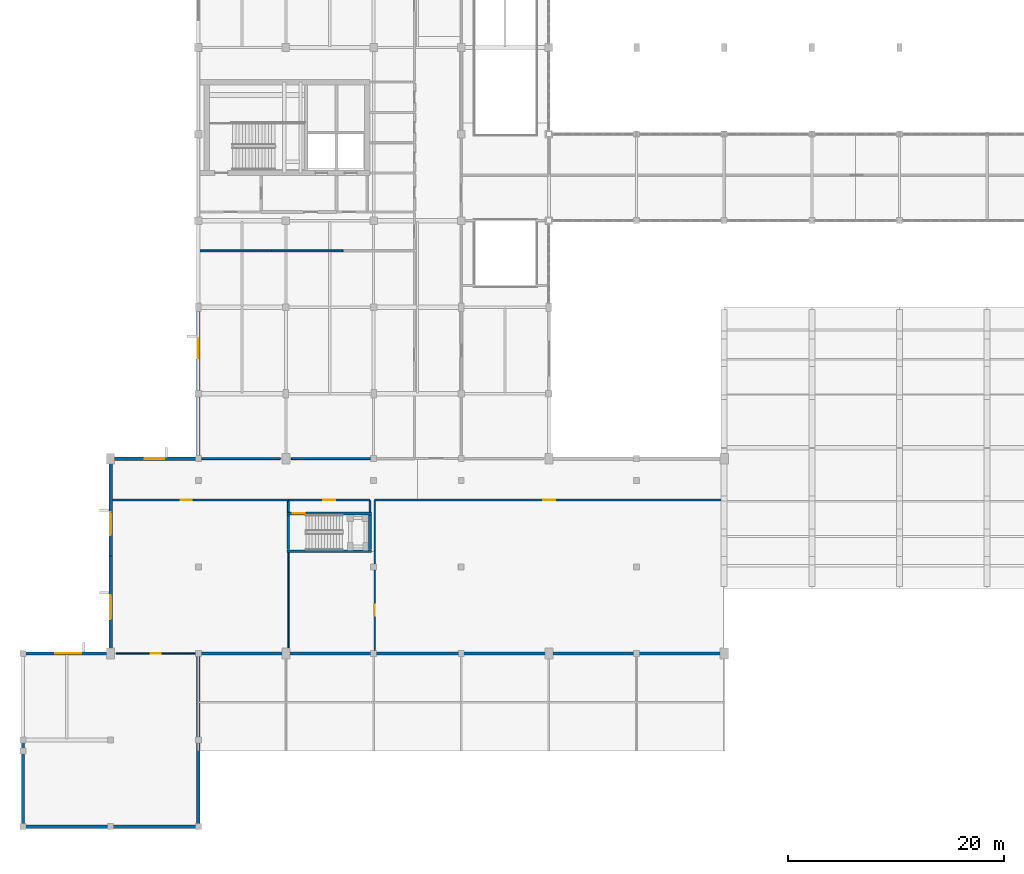
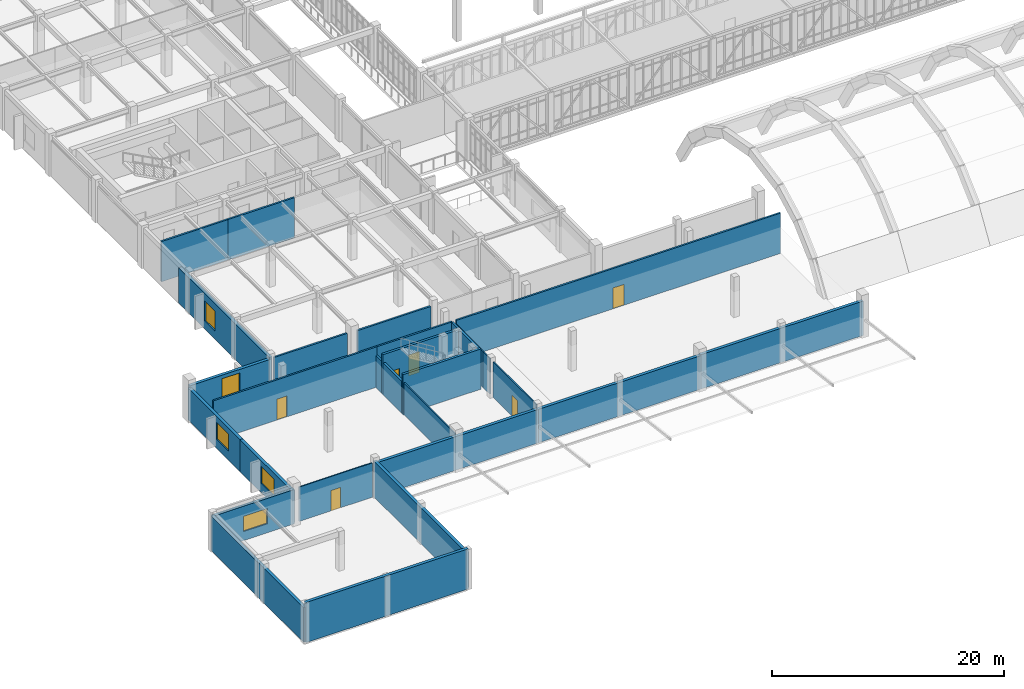
# One storey, part 47 of 67: 29 walls, 6 doors, 5 windows, 11 openings.
"""IFC4 building model written with IfcOpenShell, lengths in metres."""

from ifc_helpers import new_model, si_unit, direction, frame, frame_2d, origin, origin_with_axes, place, context, subcontext, project, spatial, rectangle, extrude, material, layer, layer_set, type_object, element, fill, save


model = new_model("IFC4")

# Units and contexts
model_context = context("Model", 3, precision=1e-05, world=origin(), true_north=direction((0.0, 1.0)))
body_context = subcontext(model_context, "Body", "Model", "MODEL_VIEW")
ifc_project = project(units=[si_unit("LENGTHUNIT", "METRE"), si_unit("AREAUNIT", "SQUARE_METRE"), si_unit("VOLUMEUNIT", "CUBIC_METRE"), si_unit("PLANEANGLEUNIT", "RADIAN"), si_unit("MASSUNIT", "GRAM", prefix="KILO")], contexts=[model_context])

# Site, building, storey
site_placement = place(None, origin())
site = spatial("IfcSite", under=ifc_project, at=site_placement, CompositionType="ELEMENT")
building_placement = place(site_placement, origin())
building = spatial("IfcBuilding", under=site, at=building_placement, Name="Tarnveldt Square Police Headquarters", CompositionType="ELEMENT")
storey_placement = place(building_placement, frame((0.0, 0.0, 10.199951171875)))
storey = spatial("IfcBuildingStorey", under=building, at=storey_placement, Name="L02", CompositionType="ELEMENT", Elevation=10.199951171875)

# Wall, opening, window
ifc_material_1 = material(Name="Concrete 40 MPa", Category="concrete")
ifc_layer_1 = layer(ifc_material_1, 0.320068359375)
ifc_layer_set_1 = layer_set([ifc_layer_1], Name="Concrete 40 MPa")
wall_type_1 = type_object("IfcWallType", Name="WL-EXT-BH320", PredefinedType="SOLIDWALL", material=ifc_layer_set_1)
wall_1_placement = place(storey_placement, frame((16.199951171875, 49.60009765625, 0.0), z_axis=(0.0, 0.0, 1.0), x_axis=(0.0, -1.0, 0.0)))
wall_1 = element("IfcWall", 1, at=wall_1_placement, inside=storey, type_object=wall_type_1, Name="L02 Brutalist Exterior Wall 0141", PredefinedType="SOLIDWALL", context=body_context, shape_type="SweptSolid", body=[
    extrude(rectangle(XDim=15.60009765625, YDim=0.320068359375, at=frame_2d((7.800048828125, 0.0))), origin(), (0.0, 0.0, 1.0), 3.73193359375),
])
opening_1_placement = place(wall_1_placement, frame((4.5, 0.0, 0.85009765625)))
opening_1 = element("IfcOpeningElement", 2, at=opening_1_placement, cuts=wall_1, Name="Opening W10", PredefinedType="OPENING", context=body_context, shape_type="SweptSolid", body=[
    extrude(rectangle(XDim=1.800048828125, YDim=2.10009765625, at=frame_2d((0.89990234375, 1.050048828125))), frame((0.0, 0.169921875, 0.0), z_axis=(0.0, -1.0, 0.0), x_axis=(1.0, 0.0, 0.0)), (0.0, 0.0, 1.0), 0.340087890625),
])
ifc_material_2 = material(Name="Triple-glazed low-e laminated vision glass", Category="glass")
window_type_1 = type_object("IfcWindowType", Name="WIN-DR-180x210", PartitioningType="DOUBLE_PANEL_VERTICAL", PredefinedType="WINDOW", material=ifc_material_2)
window_1_placement = place(opening_1_placement, origin())
window_1 = element("IfcWindow", 3, at=window_1_placement, inside=storey, type_object=window_type_1, Name="L02 Deep-Reveal Brutalist Window 0058", OverallHeight=2.10009765625, OverallWidth=1.800048828125, PartitioningType="DOUBLE_PANEL_VERTICAL", PredefinedType="WINDOW", context=body_context, shape_type="SweptSolid", body=[
    extrude(rectangle(XDim=1.800048828125, YDim=2.10009765625, at=frame_2d((0.89990234375, 1.050048828125))), frame((0.0, 0.030029296875, 0.0), z_axis=(0.0, -1.0, 0.0), x_axis=(1.0, 0.0, 0.0)), (0.0, 0.0, 1.0), 0.06005859375),
])
fill(opening_1, window_1)

# Walls
ifc_material_3 = material(Name="Manganese ironspot clay brick masonry 20 MPa", Category="masonry")
ifc_layer_2 = layer(ifc_material_3, 0.300048828125)
ifc_layer_set_2 = layer_set([ifc_layer_2], Name="Manganese ironspot clay brick masonry 20 MPa")
wall_type_2 = type_object("IfcWallType", Name="WL-EXT-BRK300", PredefinedType="SOLIDWALL", material=ifc_layer_set_2)
wall_2_placement = place(storey_placement, frame((0.0, 16.0, 0.0), z_axis=(0.0, 0.0, 1.0), x_axis=(0.0, -1.0, 0.0)))
element("IfcWall", 4, at=wall_2_placement, inside=storey, type_object=wall_type_2, Name="L02 Brutalist Exterior Wall 0113", PredefinedType="SOLIDWALL", context=body_context, shape_type="SweptSolid", body=[
    extrude(rectangle(XDim=16.0, YDim=0.300048828125, at=frame_2d((8.0, 0.0))), origin(), (0.0, 0.0, 1.0), 3.652099609375),
])
wall_3_placement = place(storey_placement, origin_with_axes())
element("IfcWall", 5, at=wall_3_placement, inside=storey, type_object=wall_type_2, Name="L02 Brutalist Exterior Wall 0114", PredefinedType="SOLIDWALL", context=body_context, shape_type="SweptSolid", body=[
    extrude(rectangle(XDim=16.199951171875, YDim=0.300048828125, at=frame_2d((8.10009765625, 0.0))), origin(), (0.0, 0.0, 1.0), 4.239990234375),
])
wall_4_placement = place(storey_placement, frame((16.199951171875, 0.0, 0.0), z_axis=(0.0, 0.0, 1.0), x_axis=(0.0, 1.0, 0.0)))
element("IfcWall", 6, at=wall_4_placement, inside=storey, type_object=wall_type_2, Name="L02 Brutalist Exterior Wall 0115", PredefinedType="SOLIDWALL", context=body_context, shape_type="SweptSolid", body=[
    extrude(rectangle(XDim=16.0, YDim=0.300048828125, at=frame_2d((8.0, 0.0))), origin(), (0.0, 0.0, 1.0), 3.76904296875),
])
wall_5_placement = place(storey_placement, frame((16.199951171875, 16.0, 0.0), z_axis=(0.0, 0.0, 1.0), x_axis=(1.0, 0.0, 0.0)))
element("IfcWall", 7, at=wall_5_placement, inside=storey, type_object=wall_type_2, Name="L02 Brutalist Exterior Wall 0116", PredefinedType="SOLIDWALL", context=body_context, shape_type="SweptSolid", body=[
    extrude(rectangle(XDim=16.199951171875, YDim=0.300048828125, at=frame_2d((8.10009765625, 0.0))), origin(), (0.0, 0.0, 1.0), 3.5439453125),
])
wall_6_placement = place(storey_placement, frame((32.39990234375, 16.0, 0.0), z_axis=(0.0, 0.0, 1.0), x_axis=(1.0, 0.0, 0.0)))
element("IfcWall", 8, at=wall_6_placement, inside=storey, type_object=wall_type_2, Name="L02 Brutalist Exterior Wall 0117", PredefinedType="SOLIDWALL", context=body_context, shape_type="SweptSolid", body=[
    extrude(rectangle(XDim=16.2001953125, YDim=0.300048828125, at=frame_2d((8.10009765625, 0.0))), origin(), (0.0, 0.0, 1.0), 3.5439453125),
])
wall_7_placement = place(storey_placement, frame((48.60009765625, 16.0, 0.0), z_axis=(0.0, 0.0, 1.0), x_axis=(1.0, 0.0, 0.0)))
element("IfcWall", 9, at=wall_7_placement, inside=storey, type_object=wall_type_2, Name="L02 Brutalist Exterior Wall 0118", PredefinedType="SOLIDWALL", context=body_context, shape_type="SweptSolid", body=[
    extrude(rectangle(XDim=16.199951171875, YDim=0.300048828125, at=frame_2d((8.10009765625, 0.0))), origin(), (0.0, 0.0, 1.0), 3.6201171875),
])

# Wall, opening, window
wall_8_placement = place(storey_placement, frame((16.199951171875, 34.0, 0.0), z_axis=(0.0, 0.0, 1.0), x_axis=(-1.0, 0.0, 0.0)))
wall_8 = element("IfcWall", 10, at=wall_8_placement, inside=storey, type_object=wall_type_2, Name="L02 Brutalist Exterior Wall 0142", PredefinedType="SOLIDWALL", context=body_context, shape_type="SweptSolid", body=[
    extrude(rectangle(XDim=8.099853515625, YDim=0.300048828125, at=frame_2d((4.0498046875, 0.0))), origin(), (0.0, 0.0, 1.0), 3.6201171875),
])
opening_2_placement = place(wall_8_placement, frame((3.14990234375, 0.0, 0.85009765625)))
opening_2 = element("IfcOpeningElement", 11, at=opening_2_placement, cuts=wall_8, Name="Opening W11", PredefinedType="OPENING", context=body_context, shape_type="SweptSolid", body=[
    extrude(rectangle(XDim=1.800048828125, YDim=2.39990234375, at=frame_2d((0.89990234375, 1.199951171875))), frame((0.0, 0.159912109375, 0.0), z_axis=(0.0, -1.0, 0.0), x_axis=(1.0, 0.0, 0.0)), (0.0, 0.0, 1.0), 0.320068359375),
])
window_type_2 = type_object("IfcWindowType", Name="WIN-DR-180x240", PartitioningType="TRIPLE_PANEL_VERTICAL", PredefinedType="WINDOW", material=ifc_material_2)
window_2_placement = place(opening_2_placement, origin())
window_2 = element("IfcWindow", 12, at=window_2_placement, inside=storey, type_object=window_type_2, Name="L02 Deep-Reveal Brutalist Window 0059", OverallHeight=2.39990234375, OverallWidth=1.800048828125, PartitioningType="TRIPLE_PANEL_VERTICAL", PredefinedType="WINDOW", context=body_context, shape_type="SweptSolid", body=[
    extrude(rectangle(XDim=1.800048828125, YDim=2.39990234375, at=frame_2d((0.89990234375, 1.199951171875))), frame((0.0, 0.030029296875, 0.0), z_axis=(0.0, -1.0, 0.0), x_axis=(1.0, 0.0, 0.0)), (0.0, 0.0, 1.0), 0.06005859375),
])
fill(opening_2, window_2)

wall_9_placement = place(storey_placement, frame((8.10009765625, 34.0, 0.0), z_axis=(0.0, 0.0, 1.0), x_axis=(0.0, -1.0, 0.0)))
wall_9 = element("IfcWall", 13, at=wall_9_placement, inside=storey, type_object=wall_type_2, Name="L02 Brutalist Exterior Wall 0143", PredefinedType="SOLIDWALL", context=body_context, shape_type="SweptSolid", body=[
    extrude(rectangle(XDim=9.0, YDim=0.300048828125, at=frame_2d((4.5, 0.0))), origin(), (0.0, 0.0, 1.0), 3.365966796875),
])
opening_3_placement = place(wall_9_placement, frame((4.949951171875, 0.0, 0.949951171875)))
opening_3 = element("IfcOpeningElement", 14, at=opening_3_placement, cuts=wall_9, Name="Opening W12", PredefinedType="OPENING", context=body_context, shape_type="SweptSolid", body=[
    extrude(rectangle(XDim=2.10009765625, YDim=1.800048828125, at=frame_2d((1.050048828125, 0.89990234375))), frame((0.0, 0.159912109375, 0.0), z_axis=(0.0, -1.0, 0.0), x_axis=(1.0, 0.0, 0.0)), (0.0, 0.0, 1.0), 0.320068359375),
])
window_type_3 = type_object("IfcWindowType", Name="WIN-DR-210x180", PartitioningType="DOUBLE_PANEL_VERTICAL", PredefinedType="WINDOW", material=ifc_material_2)
window_3_placement = place(opening_3_placement, origin())
window_3 = element("IfcWindow", 15, at=window_3_placement, inside=storey, type_object=window_type_3, Name="L02 Deep-Reveal Brutalist Window 0060", OverallHeight=1.800048828125, OverallWidth=2.10009765625, PartitioningType="DOUBLE_PANEL_VERTICAL", PredefinedType="WINDOW", context=body_context, shape_type="SweptSolid", body=[
    extrude(rectangle(XDim=2.10009765625, YDim=1.800048828125, at=frame_2d((1.050048828125, 0.89990234375))), frame((0.0, 0.030029296875, 0.0), z_axis=(0.0, -1.0, 0.0), x_axis=(1.0, 0.0, 0.0)), (0.0, 0.0, 1.0), 0.06005859375),
])
fill(opening_3, window_3)

wall_10_placement = place(storey_placement, frame((8.10009765625, 25.0, 0.0), z_axis=(0.0, 0.0, 1.0), x_axis=(0.0, -1.0, 0.0)))
wall_10 = element("IfcWall", 16, at=wall_10_placement, inside=storey, type_object=wall_type_2, Name="L02 Brutalist Exterior Wall 0144", PredefinedType="SOLIDWALL", context=body_context, shape_type="SweptSolid", body=[
    extrude(rectangle(XDim=9.0, YDim=0.300048828125, at=frame_2d((4.5, 0.0))), origin(), (0.0, 0.0, 1.0), 3.365966796875),
])
opening_4_placement = place(wall_10_placement, frame((3.60009765625, 0.0, 0.949951171875)))
opening_4 = element("IfcOpeningElement", 17, at=opening_4_placement, cuts=wall_10, Name="Opening W13", PredefinedType="OPENING", context=body_context, shape_type="SweptSolid", body=[
    extrude(rectangle(XDim=2.25, YDim=1.800048828125, at=frame_2d((1.125, 0.89990234375))), frame((0.0, 0.159912109375, 0.0), z_axis=(0.0, -1.0, 0.0), x_axis=(1.0, 0.0, 0.0)), (0.0, 0.0, 1.0), 0.320068359375),
])
window_type_4 = type_object("IfcWindowType", Name="WIN-DR-225x180", PartitioningType="TRIPLE_PANEL_VERTICAL", PredefinedType="WINDOW", material=ifc_material_2)
window_4_placement = place(opening_4_placement, origin())
window_4 = element("IfcWindow", 18, at=window_4_placement, inside=storey, type_object=window_type_4, Name="L02 Deep-Reveal Brutalist Window 0061", OverallHeight=1.800048828125, OverallWidth=2.25, PartitioningType="TRIPLE_PANEL_VERTICAL", PredefinedType="WINDOW", context=body_context, shape_type="SweptSolid", body=[
    extrude(rectangle(XDim=2.25, YDim=1.800048828125, at=frame_2d((1.125, 0.89990234375))), frame((0.0, 0.030029296875, 0.0), z_axis=(0.0, -1.0, 0.0), x_axis=(1.0, 0.0, 0.0)), (0.0, 0.0, 1.0), 0.06005859375),
])
fill(opening_4, window_4)

wall_11_placement = place(storey_placement, frame((8.10009765625, 16.0, 0.0), z_axis=(0.0, 0.0, 1.0), x_axis=(-1.0, 0.0, 0.0)))
wall_11 = element("IfcWall", 19, at=wall_11_placement, inside=storey, type_object=wall_type_2, Name="L02 Brutalist Exterior Wall 0145", PredefinedType="SOLIDWALL", context=body_context, shape_type="SweptSolid", body=[
    extrude(rectangle(XDim=8.10009765625, YDim=0.300048828125, at=frame_2d((4.050048828125, 0.0))), origin(), (0.0, 0.0, 1.0), 3.619140625),
])
opening_5_placement = place(wall_11_placement, frame((2.699951171875, 0.0, 0.949951171875)))
opening_5 = element("IfcOpeningElement", 20, at=opening_5_placement, cuts=wall_11, Name="Opening W14", PredefinedType="OPENING", context=body_context, shape_type="SweptSolid", body=[
    extrude(rectangle(XDim=2.39990234375, YDim=1.60009765625, at=frame_2d((1.199951171875, 0.800048828125))), frame((0.0, 0.159912109375, 0.0), z_axis=(0.0, -1.0, 0.0), x_axis=(1.0, 0.0, 0.0)), (0.0, 0.0, 1.0), 0.320068359375),
])
window_type_5 = type_object("IfcWindowType", Name="WIN-DR-240x160", PartitioningType="TRIPLE_PANEL_VERTICAL", PredefinedType="WINDOW", material=ifc_material_2)
window_5_placement = place(opening_5_placement, origin())
window_5 = element("IfcWindow", 21, at=window_5_placement, inside=storey, type_object=window_type_5, Name="L02 Deep-Reveal Brutalist Window 0062", OverallHeight=1.60009765625, OverallWidth=2.39990234375, PartitioningType="TRIPLE_PANEL_VERTICAL", PredefinedType="WINDOW", context=body_context, shape_type="SweptSolid", body=[
    extrude(rectangle(XDim=2.39990234375, YDim=1.60009765625, at=frame_2d((1.199951171875, 0.800048828125))), frame((0.0, 0.030029296875, 0.0), z_axis=(0.0, -1.0, 0.0), x_axis=(1.0, 0.0, 0.0)), (0.0, 0.0, 1.0), 0.06005859375),
])
fill(opening_5, window_5)

# Wall, opening, door
ifc_material_4 = material(Name="Fire-rated Type X gypsum board on steel studs", Category="steel")
ifc_layer_3 = layer(ifc_material_4, 0.179931640625)
ifc_layer_set_3 = layer_set([ifc_layer_3], Name="Fire-rated Type X gypsum board on steel studs")
wall_type_3 = type_object("IfcWallType", Name="WL-FIRE-180", PredefinedType="PARTITIONING", material=ifc_layer_set_3)
wall_12_placement = place(storey_placement, frame((8.258056640625, 30.199951171875, 0.0), z_axis=(0.0, 0.0, 1.0), x_axis=(1.0, 0.0, 0.0)))
wall_12 = element("IfcWall", 22, at=wall_12_placement, inside=storey, type_object=wall_type_3, Name="L02 Interior Partition Wall 0331", PredefinedType="PARTITIONING", context=body_context, shape_type="SweptSolid", body=[
    extrude(rectangle(XDim=16.27197265625, YDim=0.179931640625, at=frame_2d((8.135986328125, 0.0))), origin(), (0.0, 0.0, 1.0), 4.239990234375),
])
opening_6_placement = place(wall_12_placement, frame((6.334228515625, 0.0, 0.0)))
opening_6 = element("IfcOpeningElement", 23, at=opening_6_placement, cuts=wall_12, Name="Opening D05", PredefinedType="OPENING", context=body_context, shape_type="SweptSolid", body=[
    extrude(rectangle(XDim=1.0, YDim=2.199951171875, at=frame_2d((0.5, 1.10009765625))), frame((0.0, 0.099853515625, 0.0), z_axis=(0.0, -1.0, 0.0), x_axis=(1.0, 0.0, 0.0)), (0.0, 0.0, 1.0), 0.199951171875),
])
ifc_material_5 = material(Name="Solid core architectural birch door leaf", Category="wood")
door_type_1 = type_object("IfcDoorType", Name="DR-INT-1000", OperationType="NOTDEFINED", PredefinedType="DOOR", material=ifc_material_5)
door_1_placement = place(opening_6_placement, frame((1.0, 0.0, 0.0), z_axis=(0.0, 0.0, 1.0), x_axis=(-1.0, 0.0, 0.0)))
door_1 = element("IfcDoor", 24, at=door_1_placement, inside=storey, type_object=door_type_1, Name="Warrant Processing and Court Liaison Unit Door", OperationType="SINGLE_SWING_LEFT", OverallHeight=2.199951171875, OverallWidth=1.0, PredefinedType="DOOR", context=body_context, shape_type="SweptSolid", body=[
    extrude(rectangle(XDim=1.0, YDim=2.199951171875, at=frame_2d((0.5, 1.10009765625))), frame((0.0, 0.02490234375, 0.0), z_axis=(0.0, -1.0, 0.0), x_axis=(1.0, 0.0, 0.0)), (0.0, 0.0, 1.0), 0.050048828125),
])
fill(opening_6, door_1)

# Walls
wall_13_placement = place(storey_placement, frame((16.48291015625, 34.0, 0.0), z_axis=(0.0, 0.0, 1.0), x_axis=(1.0, 0.0, 0.0)))
element("IfcWall", 25, at=wall_13_placement, inside=storey, type_object=wall_type_3, Name="L02 Interior Partition Wall 0332", PredefinedType="PARTITIONING", context=body_context, shape_type="SweptSolid", body=[
    extrude(rectangle(XDim=7.30908203125, YDim=0.179931640625, at=frame_2d((3.654541015625, 0.0))), origin(), (0.0, 0.0, 1.0), 3.6201171875),
])
wall_14_placement = place(storey_placement, frame((24.80810546875, 34.0, 0.0), z_axis=(0.0, 0.0, 1.0), x_axis=(1.0, 0.0, 0.0)))
element("IfcWall", 26, at=wall_14_placement, inside=storey, type_object=wall_type_3, Name="L02 Interior Partition Wall 0333", PredefinedType="PARTITIONING", context=body_context, shape_type="SweptSolid", body=[
    extrude(rectangle(XDim=7.308837890625, YDim=0.179931640625, at=frame_2d((3.654296875, 0.0))), origin(), (0.0, 0.0, 1.0), 3.5439453125),
])
wall_15_placement = place(storey_placement, frame((16.367919921875, 53.199951171875, 0.0), z_axis=(0.0, 0.0, 1.0), x_axis=(1.0, 0.0, 0.0)))
element("IfcWall", 27, at=wall_15_placement, inside=storey, type_object=wall_type_3, Name="L02 Interior Partition Wall 0335", PredefinedType="PARTITIONING", context=body_context, shape_type="SweptSolid", body=[
    extrude(rectangle(XDim=6.61083984375, YDim=0.179931640625, at=frame_2d((3.305419921875, 0.0))), origin(), (0.0, 0.0, 1.0), 4.239990234375),
])
wall_16_placement = place(storey_placement, frame((22.978759765625, 53.199951171875, 0.0), z_axis=(0.0, 0.0, 1.0), x_axis=(1.0, 0.0, 0.0)))
element("IfcWall", 28, at=wall_16_placement, inside=storey, type_object=wall_type_3, Name="L02 Interior Partition Wall 0336", PredefinedType="PARTITIONING", context=body_context, shape_type="SweptSolid", body=[
    extrude(rectangle(XDim=6.610595703125, YDim=0.179931640625, at=frame_2d((3.30517578125, 0.0))), origin(), (0.0, 0.0, 1.0), 4.239990234375),
])

# Wall, opening, door
wall_17_placement = place(storey_placement, frame((24.530029296875, 30.199951171875, 0.0), z_axis=(0.0, 0.0, 1.0), x_axis=(1.0, 0.0, 0.0)))
wall_17 = element("IfcWall", 29, at=wall_17_placement, inside=storey, type_object=wall_type_3, Name="L02 Interior Partition Wall 0345", PredefinedType="PARTITIONING", context=body_context, shape_type="SweptSolid", body=[
    extrude(rectangle(XDim=7.5400390625, YDim=0.179931640625, at=frame_2d((3.77001953125, 0.0))), origin(), (0.0, 0.0, 1.0), 4.239990234375),
])
opening_7_placement = place(wall_17_placement, frame((3.219970703125, 0.0, 0.0)))
opening_7 = element("IfcOpeningElement", 30, at=opening_7_placement, cuts=wall_17, Name="Opening D15", PredefinedType="OPENING", context=body_context, shape_type="SweptSolid", body=[
    extrude(rectangle(XDim=1.10009765625, YDim=2.199951171875, at=frame_2d((0.550048828125, 1.10009765625))), frame((0.0, 0.099853515625, 0.0), z_axis=(0.0, -1.0, 0.0), x_axis=(1.0, 0.0, 0.0)), (0.0, 0.0, 1.0), 0.199951171875),
])
ifc_material_6 = material(Name="Insulated hollow metal steel door leaf", Category="steel")
door_type_2 = type_object("IfcDoorType", Name="DR-FD60-1100", OperationType="NOTDEFINED", PredefinedType="DOOR", material=ifc_material_6)
door_2_placement = place(opening_7_placement, origin())
door_2 = element("IfcDoor", 31, at=door_2_placement, inside=storey, type_object=door_type_2, Name="Exit Stair ST6 Vestibule L02 Door", OperationType="SINGLE_SWING_RIGHT", OverallHeight=2.199951171875, OverallWidth=1.10009765625, PredefinedType="DOOR", context=body_context, shape_type="SweptSolid", body=[
    extrude(rectangle(XDim=1.10009765625, YDim=2.199951171875, at=frame_2d((0.550048828125, 1.10009765625))), frame((0.0, 0.02490234375, 0.0), z_axis=(0.0, -1.0, 0.0), x_axis=(1.0, 0.0, 0.0)), (0.0, 0.0, 1.0), 0.050048828125),
])
fill(opening_7, door_2)

wall_18_placement = place(storey_placement, frame((32.5, 30.199951171875, 0.0), z_axis=(0.0, 0.0, 1.0), x_axis=(1.0, 0.0, 0.0)))
wall_18 = element("IfcWall", 32, at=wall_18_placement, inside=storey, type_object=wall_type_3, Name="L02 Interior Partition Wall 0354", PredefinedType="PARTITIONING", context=body_context, shape_type="SweptSolid", body=[
    extrude(rectangle(XDim=32.2900390625, YDim=0.179931640625, at=frame_2d((16.14501953125, 0.0))), origin(), (0.0, 0.0, 1.0), 4.239990234375),
])
opening_8_placement = place(wall_18_placement, frame((15.594970703125, 0.0, 0.0)))
opening_8 = element("IfcOpeningElement", 33, at=opening_8_placement, cuts=wall_18, Name="Opening D07", PredefinedType="OPENING", context=body_context, shape_type="SweptSolid", body=[
    extrude(rectangle(XDim=1.10009765625, YDim=2.199951171875, at=frame_2d((0.550048828125, 1.10009765625))), frame((0.0, 0.099853515625, 0.0), z_axis=(0.0, -1.0, 0.0), x_axis=(1.0, 0.0, 0.0)), (0.0, 0.0, 1.0), 0.199951171875),
])
door_type_3 = type_object("IfcDoorType", Name="DR-INT-1100", OperationType="NOTDEFINED", PredefinedType="DOOR", material=ifc_material_5)
door_3_placement = place(opening_8_placement, frame((1.10009765625, 0.0, 0.0), z_axis=(0.0, 0.0, 1.0), x_axis=(-1.0, 0.0, 0.0)))
door_3 = element("IfcDoor", 34, at=door_3_placement, inside=storey, type_object=door_type_3, Name="Central Police Records and FOI Bureau Door", OperationType="SINGLE_SWING_RIGHT", OverallHeight=2.199951171875, OverallWidth=1.10009765625, PredefinedType="DOOR", context=body_context, shape_type="SweptSolid", body=[
    extrude(rectangle(XDim=1.10009765625, YDim=2.199951171875, at=frame_2d((0.550048828125, 1.10009765625))), frame((0.0, 0.02490234375, 0.0), z_axis=(0.0, -1.0, 0.0), x_axis=(1.0, 0.0, 0.0)), (0.0, 0.0, 1.0), 0.050048828125),
])
fill(opening_8, door_3)

# Walls
wall_19_placement = place(storey_placement, frame((24.530029296875, 29.068115234375, 0.0), z_axis=(0.0, 0.0, 1.0), x_axis=(0.0, 1.0, 0.0)))
element("IfcWall", 35, at=wall_19_placement, inside=storey, type_object=wall_type_3, Name="L02 Interior Partition Wall 0380", PredefinedType="PARTITIONING", context=body_context, shape_type="SweptSolid", body=[
    extrude(rectangle(XDim=1.033935546875, YDim=0.179931640625, at=frame_2d((0.51708984375, 0.0))), origin(), (0.0, 0.0, 1.0), 3.365966796875),
])
wall_20_placement = place(storey_placement, frame((32.070068359375, 29.068115234375, 0.0), z_axis=(0.0, 0.0, 1.0), x_axis=(0.0, 1.0, 0.0)))
element("IfcWall", 36, at=wall_20_placement, inside=storey, type_object=wall_type_3, Name="L02 Interior Partition Wall 0385", PredefinedType="PARTITIONING", context=body_context, shape_type="SweptSolid", body=[
    extrude(rectangle(XDim=1.033935546875, YDim=0.179931640625, at=frame_2d((0.51708984375, 0.0))), origin(), (0.0, 0.0, 1.0), 4.239990234375),
])
ifc_material_7 = material(Name="Concrete block masonry 15 MPa", Category="masonry")
ifc_layer_4 = layer(ifc_material_7, 0.239990234375)
ifc_layer_set_4 = layer_set([ifc_layer_4], Name="Concrete block masonry 15 MPa")
wall_type_4 = type_object("IfcWallType", Name="WL-FIRE-240", PredefinedType="PARTITIONING", material=ifc_layer_set_4)
wall_21_placement = place(storey_placement, frame((24.409912109375, 25.4599609375, 0.0), z_axis=(0.0, 0.0, 1.0), x_axis=(1.0, 0.0, 0.0)))
element("IfcWall", 37, at=wall_21_placement, inside=storey, type_object=wall_type_4, Name="Exit Stair ST6 L02 S Enclosure Wall", PredefinedType="PARTITIONING", context=body_context, shape_type="SweptSolid", body=[
    extrude(rectangle(XDim=7.780029296875, YDim=0.239990234375, at=frame_2d((3.89013671875, 0.0))), origin(), (0.0, 0.0, 1.0), 4.239990234375),
])

# Wall, opening, door
wall_22_placement = place(storey_placement, frame((24.409912109375, 28.93994140625, 0.0), z_axis=(0.0, 0.0, 1.0), x_axis=(1.0, 0.0, 0.0)))
wall_22 = element("IfcWall", 38, at=wall_22_placement, inside=storey, type_object=wall_type_4, Name="Exit Stair ST6 L02 N Enclosure Wall", PredefinedType="PARTITIONING", context=body_context, shape_type="SweptSolid", body=[
    extrude(rectangle(XDim=7.780029296875, YDim=0.239990234375, at=frame_2d((3.89013671875, 0.0))), origin(), (0.0, 0.0, 1.0), 4.239990234375),
])
opening_9_placement = place(wall_22_placement, frame((0.5400390625, 0.0, 0.0)))
opening_9 = element("IfcOpeningElement", 39, at=opening_9_placement, cuts=wall_22, Name="Opening D-ST6-L02", PredefinedType="OPENING", context=body_context, shape_type="SweptSolid", body=[
    extrude(rectangle(XDim=1.10009765625, YDim=2.199951171875, at=frame_2d((0.550048828125, 1.10009765625))), frame((0.0, 0.1298828125, 0.0), z_axis=(0.0, -1.0, 0.0), x_axis=(1.0, 0.0, 0.0)), (0.0, 0.0, 1.0), 0.260009765625),
])
door_type_4 = type_object("IfcDoorType", Name="DR-FD90-1100", OperationType="NOTDEFINED", PredefinedType="DOOR", material=ifc_material_6)
door_4_placement = place(opening_9_placement, frame((1.10009765625, 0.0, 0.0), z_axis=(0.0, 0.0, 1.0), x_axis=(-1.0, 0.0, 0.0)))
door_4 = element("IfcDoor", 40, at=door_4_placement, inside=storey, type_object=door_type_4, Name="Exit Stair ST6 L02 Fire Door", OperationType="SINGLE_SWING_RIGHT", OverallHeight=2.199951171875, OverallWidth=1.10009765625, PredefinedType="DOOR", context=body_context, shape_type="SweptSolid", body=[
    extrude(rectangle(XDim=1.10009765625, YDim=2.199951171875, at=frame_2d((0.550048828125, 1.10009765625))), frame((0.0, 0.02490234375, 0.0), z_axis=(0.0, -1.0, 0.0), x_axis=(1.0, 0.0, 0.0)), (0.0, 0.0, 1.0), 0.050048828125),
])
fill(opening_9, door_4)

# Walls
wall_23_placement = place(storey_placement, frame((24.530029296875, 25.590087890625, 0.0), z_axis=(0.0, 0.0, 1.0), x_axis=(0.0, 1.0, 0.0)))
element("IfcWall", 41, at=wall_23_placement, inside=storey, type_object=wall_type_4, Name="Exit Stair ST6 L02 W Enclosure Wall", PredefinedType="PARTITIONING", context=body_context, shape_type="SweptSolid", body=[
    extrude(rectangle(XDim=3.219970703125, YDim=0.239990234375, at=frame_2d((1.60986328125, 0.0))), origin(), (0.0, 0.0, 1.0), 3.365966796875),
])
wall_24_placement = place(storey_placement, frame((32.070068359375, 25.590087890625, 0.0), z_axis=(0.0, 0.0, 1.0), x_axis=(0.0, 1.0, 0.0)))
element("IfcWall", 42, at=wall_24_placement, inside=storey, type_object=wall_type_4, Name="Exit Stair ST6 L02 E Enclosure Wall", PredefinedType="PARTITIONING", context=body_context, shape_type="SweptSolid", body=[
    extrude(rectangle(XDim=3.219970703125, YDim=0.239990234375, at=frame_2d((1.60986328125, 0.0))), origin(), (0.0, 0.0, 1.0), 4.239990234375),
])

# Wall, opening, door
ifc_layer_5 = layer(ifc_material_4, 0.110107421875)
ifc_layer_set_5 = layer_set([ifc_layer_5], Name="Fire-rated Type X gypsum board on steel studs")
wall_type_5 = type_object("IfcWallType", Name="WL-PART-110", PredefinedType="PARTITIONING", material=ifc_layer_set_5)
wall_25_placement = place(storey_placement, frame((8.60791015625, 16.0, 0.0), z_axis=(0.0, 0.0, 1.0), x_axis=(1.0, 0.0, 0.0)))
wall_25 = element("IfcWall", 43, at=wall_25_placement, inside=storey, type_object=wall_type_5, Name="L02 Interior Partition Wall 0330", PredefinedType="PARTITIONING", context=body_context, shape_type="SweptSolid", body=[
    extrude(rectangle(XDim=7.30908203125, YDim=0.110107421875, at=frame_2d((3.654541015625, 0.0))), origin(), (0.0, 0.0, 1.0), 3.6201171875),
])
opening_10_placement = place(wall_25_placement, frame((3.179443359375, 0.0, 0.0)))
opening_10 = element("IfcOpeningElement", 44, at=opening_10_placement, cuts=wall_25, Name="Opening D03", PredefinedType="OPENING", context=body_context, shape_type="SweptSolid", body=[
    extrude(rectangle(XDim=0.949951171875, YDim=2.14990234375, at=frame_2d((0.47509765625, 1.074951171875))), frame((0.0, 0.06494140625, 0.0), z_axis=(0.0, -1.0, 0.0), x_axis=(1.0, 0.0, 0.0)), (0.0, 0.0, 1.0), 0.130126953125),
])
door_type_5 = type_object("IfcDoorType", Name="DR-INT-950", OperationType="NOTDEFINED", PredefinedType="DOOR", material=ifc_material_5)
door_5_placement = place(opening_10_placement, frame((0.949951171875, 0.0, 0.0), z_axis=(0.0, 0.0, 1.0), x_axis=(-1.0, 0.0, 0.0)))
door_5 = element("IfcDoor", 45, at=door_5_placement, inside=storey, type_object=door_type_5, Name="Digital Case Dossier Transcription Room Door", OperationType="SINGLE_SWING_RIGHT", OverallHeight=2.14990234375, OverallWidth=0.949951171875, PredefinedType="DOOR", context=body_context, shape_type="SweptSolid", body=[
    extrude(rectangle(XDim=0.949951171875, YDim=2.14990234375, at=frame_2d((0.47509765625, 1.074951171875))), frame((0.0, 0.02490234375, 0.0), z_axis=(0.0, -1.0, 0.0), x_axis=(1.0, 0.0, 0.0)), (0.0, 0.0, 1.0), 0.050048828125),
])
fill(opening_10, door_5)

# Wall
ifc_layer_6 = layer(ifc_material_4, 0.1201171875)
ifc_layer_set_6 = layer_set([ifc_layer_6], Name="Fire-rated Type X gypsum board on steel studs")
wall_type_6 = type_object("IfcWallType", Name="WL-PART-120", PredefinedType="PARTITIONING", material=ifc_layer_set_6)
wall_26_placement = place(storey_placement, frame((24.530029296875, 16.508056640625, 0.0), z_axis=(0.0, 0.0, 1.0), x_axis=(0.0, 1.0, 0.0)))
element("IfcWall", 46, at=wall_26_placement, inside=storey, type_object=wall_type_6, Name="L02 Interior Partition Wall 0379", PredefinedType="PARTITIONING", context=body_context, shape_type="SweptSolid", body=[
    extrude(rectangle(XDim=8.823974609375, YDim=0.1201171875, at=frame_2d((4.412109375, 0.0))), origin(), (0.0, 0.0, 1.0), 3.365966796875),
])

# Wall, opening, door
wall_27_placement = place(storey_placement, frame((32.5, 16.282958984375, 0.0), z_axis=(0.0, 0.0, 1.0), x_axis=(0.0, 1.0, 0.0)))
wall_27 = element("IfcWall", 47, at=wall_27_placement, inside=storey, type_object=wall_type_6, Name="L02 Interior Partition Wall 0386", PredefinedType="PARTITIONING", context=body_context, shape_type="SweptSolid", body=[
    extrude(rectangle(XDim=7.43408203125, YDim=0.1201171875, at=frame_2d((3.717041015625, 0.0))), origin(), (0.0, 0.0, 1.0), 3.76904296875),
])
opening_11_placement = place(wall_27_placement, frame((3.217041015625, 0.0, 0.0)))
opening_11 = element("IfcOpeningElement", 48, at=opening_11_placement, cuts=wall_27, Name="Opening D05", PredefinedType="OPENING", context=body_context, shape_type="SweptSolid", body=[
    extrude(rectangle(XDim=1.0, YDim=2.199951171875, at=frame_2d((0.5, 1.10009765625))), frame((0.0, 0.070068359375, 0.0), z_axis=(0.0, -1.0, 0.0), x_axis=(1.0, 0.0, 0.0)), (0.0, 0.0, 1.0), 0.14013671875),
])
door_6_placement = place(opening_11_placement, origin())
door_6 = element("IfcDoor", 49, at=door_6_placement, inside=storey, type_object=door_type_1, Name="Evidence Disclosure Digitization Office Door", OperationType="SINGLE_SWING_RIGHT", OverallHeight=2.199951171875, OverallWidth=1.0, PredefinedType="DOOR", context=body_context, shape_type="SweptSolid", body=[
    extrude(rectangle(XDim=1.0, YDim=2.199951171875, at=frame_2d((0.5, 1.10009765625))), frame((0.0, 0.02490234375, 0.0), z_axis=(0.0, -1.0, 0.0), x_axis=(1.0, 0.0, 0.0)), (0.0, 0.0, 1.0), 0.050048828125),
])
fill(opening_11, door_6)

# Walls
wall_28_placement = place(storey_placement, frame((32.5, 24.282958984375, 0.0), z_axis=(0.0, 0.0, 1.0), x_axis=(0.0, 1.0, 0.0)))
element("IfcWall", 50, at=wall_28_placement, inside=storey, type_object=wall_type_6, Name="L02 Interior Partition Wall 0387", PredefinedType="PARTITIONING", context=body_context, shape_type="SweptSolid", body=[
    extrude(rectangle(XDim=1.177001953125, YDim=0.1201171875, at=frame_2d((0.58837890625, 0.0))), origin(), (0.0, 0.0, 1.0), 3.76904296875),
])
wall_29_placement = place(storey_placement, frame((32.5, 25.4599609375, 0.0), z_axis=(0.0, 0.0, 1.0), x_axis=(0.0, 1.0, 0.0)))
element("IfcWall", 51, at=wall_29_placement, inside=storey, type_object=wall_type_6, Name="L02 Interior Partition Wall 0388", PredefinedType="PARTITIONING", context=body_context, shape_type="SweptSolid", body=[
    extrude(rectangle(XDim=4.64208984375, YDim=0.1201171875, at=frame_2d((2.321044921875, 0.0))), origin(), (0.0, 0.0, 1.0), 3.76904296875),
])

save(model, "model.ifc")
